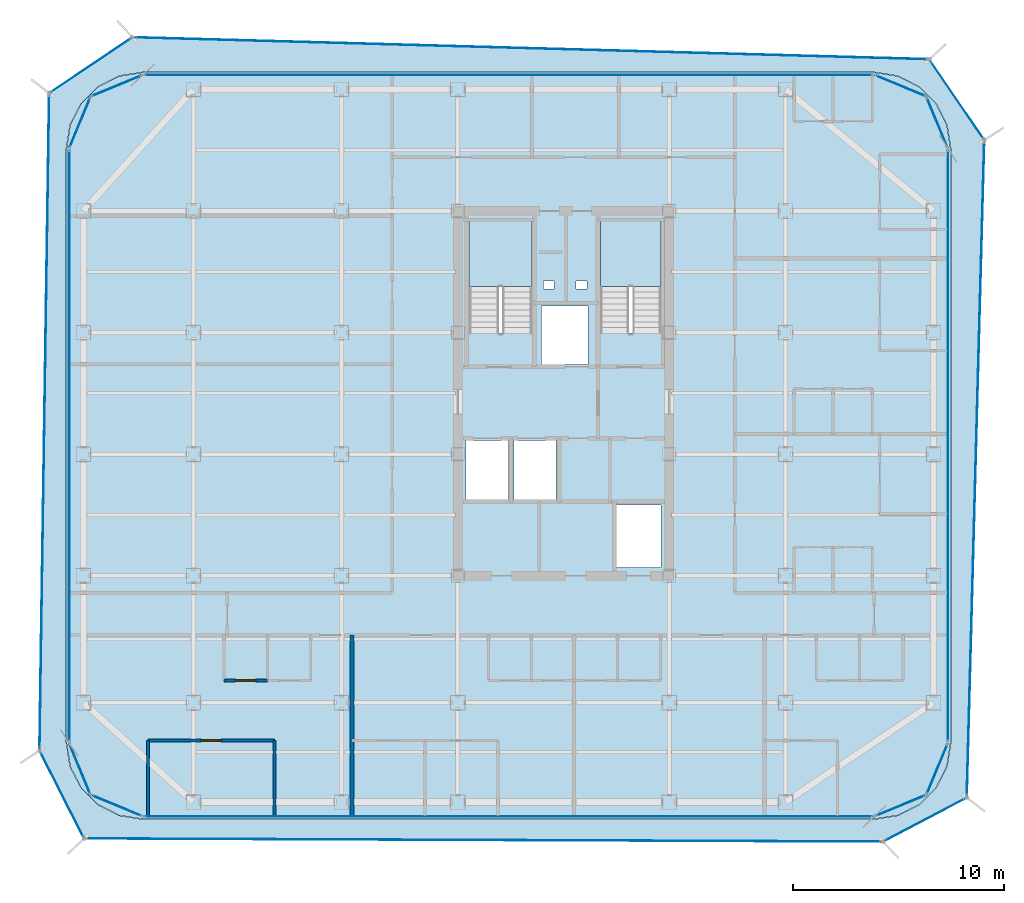
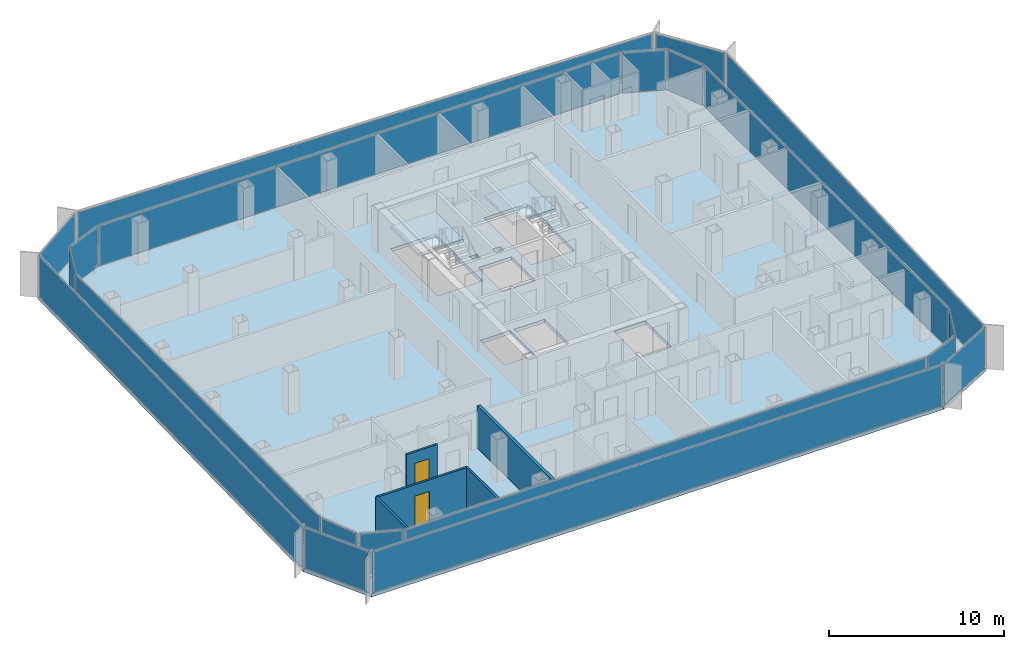
# One storey, part 9 of 16: 20 plates, 5 walls, 4 slabs, 2 doors, 2 openings, 22 elements without a shape of their own.
"""IFC4 building model written with IfcOpenShell, lengths in metres."""

from ifc_helpers import new_model, si_unit, direction, frame, frame_2d, origin, origin_2d, place, context, subcontext, project, spatial, polyline, rectangle, outline, extrude, source, transform, mapped, material, layer, layer_set, type_object, element, fill, aggregate, save


model = new_model("IFC4")

# Units and contexts
model_context = context("Model", 3, precision=1e-05, world=origin(), true_north=direction((0.0, 1.0)))
body_context = subcontext(model_context, "Body", "Model", "MODEL_VIEW")
ifc_project = project(units=[si_unit("LENGTHUNIT", "METRE"), si_unit("AREAUNIT", "SQUARE_METRE"), si_unit("VOLUMEUNIT", "CUBIC_METRE"), si_unit("PLANEANGLEUNIT", "RADIAN"), si_unit("MASSUNIT", "GRAM", prefix="KILO")], contexts=[model_context])

# Site, building, storey
site_placement = place(None, origin())
site = spatial("IfcSite", under=ifc_project, at=site_placement, CompositionType="ELEMENT")
building_placement = place(site_placement, origin())
building = spatial("IfcBuilding", under=site, at=building_placement, Name="Kolveth Station Tower", CompositionType="ELEMENT")
storey_placement = place(building_placement, frame((0.0, 0.0, 175.300048828125)))
storey = spatial("IfcBuildingStorey", under=building, at=storey_placement, Name="L49", CompositionType="ELEMENT", Elevation=175.300048828125)

# Slab
ifc_material_1 = material(Name="Concrete C40/50", Category="concrete")
ifc_layer_1 = layer(ifc_material_1, 0.25)
ifc_layer_set_1 = layer_set([ifc_layer_1], Name="Concrete C40/50")
slab_type_1 = type_object("IfcSlabType", Name="Slab_SF-250", PredefinedType="FLOOR", material=ifc_layer_set_1)
slab_1_placement = place(storey_placement, frame((0.0, 0.0, -0.25)))
element("IfcSlab", 1, at=slab_1_placement, inside=storey, type_object=slab_type_1, Name="L49 Tower Structural Floor Slab", PredefinedType="FLOOR", context=body_context, shape_type="SweptSolid", body=[
    extrude(outline(polyline([(38.199951171875, 0.0), (39.3125, 0.17626953125), (40.31591796875, 0.6875), (41.112548828125, 1.48388671875), (41.623779296875, 2.487548828125), (41.800048828125, 3.60009765625), (41.800048828125, 31.699951171875), (41.623779296875, 32.8125), (41.112548828125, 33.81591796875), (40.31591796875, 34.612548828125), (39.3125, 35.123779296875), (38.199951171875, 35.300048828125), (3.60009765625, 35.300048828125), (2.487548828125, 35.123779296875), (1.48388671875, 34.612548828125), (0.6875, 33.81591796875), (0.17626953125, 32.8125), (0.0, 31.699951171875), (0.0, 3.60009765625), (0.17626953125, 2.487548828125), (0.6875, 1.48388671875), (1.48388671875, 0.6875), (2.487548828125, 0.17626953125), (3.60009765625, 0.0), (38.199951171875, 0.0)]), holes=[polyline([(19.0400390625, 22.985107421875), (22.0, 22.985107421875), (22.0, 28.39990234375), (19.0400390625, 28.39990234375), (19.0400390625, 22.985107421875)]), polyline([(25.239990234375, 22.985107421875), (28.10009765625, 22.985107421875), (28.10009765625, 28.39990234375), (25.239990234375, 28.39990234375), (25.239990234375, 22.985107421875)]), polyline([(18.89990234375, 15.10009765625), (20.89990234375, 15.10009765625), (20.89990234375, 17.89990234375), (18.89990234375, 17.89990234375), (18.89990234375, 15.10009765625)]), polyline([(21.14990234375, 15.10009765625), (23.14990234375, 15.10009765625), (23.14990234375, 17.89990234375), (21.14990234375, 17.89990234375), (21.14990234375, 15.10009765625)]), polyline([(22.449951171875, 21.5), (24.64990234375, 21.5), (24.64990234375, 24.25), (22.449951171875, 24.25), (22.449951171875, 21.5)]), polyline([(26.0, 11.89990234375), (28.10009765625, 11.89990234375), (28.10009765625, 14.85009765625), (26.0, 14.85009765625), (26.0, 11.89990234375)]), polyline([(22.550048828125, 25.050048828125), (23.050048828125, 25.050048828125), (23.050048828125, 25.449951171875), (22.550048828125, 25.449951171875), (22.550048828125, 25.050048828125)]), polyline([(24.10009765625, 25.050048828125), (24.60009765625, 25.050048828125), (24.60009765625, 25.449951171875), (24.10009765625, 25.449951171875), (24.10009765625, 25.050048828125)])]), origin(), (0.0, 0.0, 1.0), 0.25),
])

# Stair, slab
stair_type_1 = type_object("IfcStairType", Name="Stair_ST2", PredefinedType="HALF_TURN_STAIR", material=ifc_material_1)
stair_1_placement = place(storey_placement, origin())
stair_1 = element("IfcStair", 2, at=stair_1_placement, inside=storey, type_object=stair_type_1, Name="L49 Tower Exit Stair ST2", PredefinedType="HALF_TURN_STAIR")
ifc_layer_2 = layer(ifc_material_1, 0.18994140625)
ifc_layer_set_2 = layer_set([ifc_layer_2], Name="Concrete C40/50")
slab_type_2 = type_object("IfcSlabType", Name="Slab_SL-190", PredefinedType="LANDING", material=ifc_layer_set_2)
slab_2_placement = place(storey_placement, frame((0.0, 0.0, 1.39990234375)))
slab_2 = element("IfcSlab", 3, at=slab_2_placement, type_object=slab_type_2, Name="ST2 landing 1", PredefinedType="LANDING", context=body_context, shape_type="SweptSolid", body=[
    extrude(outline(polyline([(28.10009765625, 25.18994140625), (28.10009765625, 28.39990234375), (25.239990234375, 28.39990234375), (25.239990234375, 25.18994140625), (28.10009765625, 25.18994140625)])), origin(), (0.0, 0.0, 1.0), 0.199951171875),
])
aggregate(stair_1, [slab_2])

stair_type_2 = type_object("IfcStairType", Name="Stair_ST1", PredefinedType="HALF_TURN_STAIR", material=ifc_material_1)
stair_2_placement = place(storey_placement, origin())
stair_2 = element("IfcStair", 4, at=stair_2_placement, inside=storey, type_object=stair_type_2, Name="L49 Tower Exit Stair ST1", PredefinedType="HALF_TURN_STAIR")
ifc_layer_3 = layer(ifc_material_1, 0.205078125)
ifc_layer_set_3 = layer_set([ifc_layer_3], Name="Concrete C40/50")
slab_type_3 = type_object("IfcSlabType", Name="Slab_SL-205", PredefinedType="LANDING", material=ifc_layer_set_3)
slab_3_placement = place(storey_placement, frame((0.0, 0.0, 1.39990234375)))
slab_3 = element("IfcSlab", 5, at=slab_3_placement, type_object=slab_type_3, Name="ST1 landing 1", PredefinedType="LANDING", context=body_context, shape_type="SweptSolid", body=[
    extrude(outline(polyline([(22.0, 25.18994140625), (22.0, 28.39990234375), (19.0400390625, 28.39990234375), (19.0400390625, 25.18994140625), (22.0, 25.18994140625)])), origin(), (0.0, 0.0, 1.0), 0.199951171875),
])
aggregate(stair_2, [slab_3])

# Slab
ifc_layer_4 = layer(ifc_material_1, 0.2099609375)
ifc_layer_set_4 = layer_set([ifc_layer_4], Name="Concrete C40/50")
slab_type_4 = type_object("IfcSlabType", Name="Slab_ST-210", PredefinedType="FLOOR", material=ifc_layer_set_4)
slab_4_placement = place(storey_placement, frame((0.0, 0.0, -0.2099609375)))
element("IfcSlab", 6, at=slab_4_placement, inside=storey, type_object=slab_type_4, Name="L49 Double-Skin Cavity Structural Ledger Ring", PredefinedType="FLOOR", context=body_context, shape_type="SweptSolid", body=[
    extrude(outline(polyline([(0.834228515625, -0.92431640625), (-1.27587890625, 3.236572265625), (-0.819091796875, 34.319091796875), (3.120361328125, 36.95947265625), (40.792724609375, 35.921142578125), (43.399658203125, 32.10400390625), (42.57177734375, 1.008056640625), (38.607666015625, -1.074951171875), (0.834228515625, -0.92431640625)]), holes=[polyline([(38.202392578125, -0.014892578125), (39.314697265625, 0.161376953125), (39.3193359375, 0.162841796875), (40.32275390625, 0.674072265625), (40.32666015625, 0.677001953125), (41.123046875, 1.473388671875), (41.1259765625, 1.477294921875), (41.63720703125, 2.480712890625), (41.638671875, 2.485107421875), (41.814697265625, 3.59765625), (41.81494140625, 3.60009765625), (41.81494140625, 31.699951171875), (41.814697265625, 31.702392578125), (41.638671875, 32.814697265625), (41.63720703125, 32.8193359375), (41.1259765625, 33.82275390625), (41.123046875, 33.82666015625), (40.32666015625, 34.623046875), (40.32275390625, 34.6259765625), (39.3193359375, 35.13720703125), (39.314697265625, 35.138671875), (38.202392578125, 35.314697265625), (38.199951171875, 35.31494140625), (3.60009765625, 35.31494140625), (3.59765625, 35.314697265625), (2.485107421875, 35.138671875), (2.480712890625, 35.13720703125), (1.477294921875, 34.6259765625), (1.473388671875, 34.623046875), (0.677001953125, 33.82666015625), (0.674072265625, 33.82275390625), (0.162841796875, 32.8193359375), (0.161376953125, 32.814697265625), (-0.014892578125, 31.702392578125), (-0.014892578125, 31.699951171875), (-0.014892578125, 3.60009765625), (-0.014892578125, 3.59765625), (0.161376953125, 2.485107421875), (0.162841796875, 2.480712890625), (0.674072265625, 1.477294921875), (0.677001953125, 1.473388671875), (1.473388671875, 0.677001953125), (1.477294921875, 0.674072265625), (2.480712890625, 0.162841796875), (2.485107421875, 0.161376953125), (3.59765625, -0.014892578125), (3.60009765625, -0.014892578125), (38.199951171875, -0.014892578125), (38.202392578125, -0.014892578125)])]), origin(), (0.0, 0.0, 1.0), 0.2099609375),
])

# Curtain wall, plate
ifc_material_2 = material(Name="Aluminium 6063-T6 and low-E dark glass", Category="aluminium")
ifc_layer_5 = layer(ifc_material_2, 0.18994140625)
ifc_layer_set_5 = layer_set([ifc_layer_5], Name="Aluminium 6063-T6 and low-E dark glass")
curtain_wall_type_1 = type_object("IfcCurtainWallType", Name="CurtainWall_CW-Z2", PredefinedType="NOTDEFINED", material=ifc_layer_set_5)
curtain_wall_1_placement = place(storey_placement, origin())
curtain_wall_1 = element("IfcCurtainWall", 7, at=curtain_wall_1_placement, inside=storey, type_object=curtain_wall_type_1, Name="L49 Inner Thermal Curtain Wall 1", PredefinedType="NOTDEFINED")
ifc_material_3 = material(Name="Architectural low-E dark glass", Category="glass")
ifc_layer_6 = layer(ifc_material_3, 0.0380859375)
ifc_layer_set_6 = layer_set([ifc_layer_6], Name="Architectural low-E dark glass")
plate_type_1 = type_object("IfcPlateType", Name="Panel_GL2", PredefinedType="CURTAIN_PANEL", material=ifc_layer_set_6)
shared_shape_1 = source(origin(), body_context, "Body", "SweptSolid", [
    extrude(rectangle(XDim=2.517578125, YDim=0.0380859375, at=origin_2d()), origin(), (0.0, 0.0, 1.0), 2.803955078125),
])
plate_1_placement = place(storey_placement, frame((39.430419921875, 0.629638671875, 0.07275390625), z_axis=(0.0, 0.0, 1.0), x_axis=(0.923873600544, 0.382697753087, 0.0)))
plate_1 = element("IfcPlate", 8, at=plate_1_placement, type_object=plate_type_1, Name="CW-Z2 panel 1.1", PredefinedType="CURTAIN_PANEL", context=body_context, shape_type="MappedRepresentation", body=[
    mapped(shared_shape_1, transform((0.0, 0.0, 0.0), x_axis=(1.0, 0.0, 0.0), y_axis=(0.0, 1.0, 0.0), z_axis=(0.0, 0.0, 1.0), scale=1.0)),
])
aggregate(curtain_wall_1, [plate_1])

curtain_wall_2_placement = place(storey_placement, origin())
curtain_wall_2 = element("IfcCurtainWall", 9, at=curtain_wall_2_placement, inside=storey, type_object=curtain_wall_type_1, Name="L49 Inner Thermal Curtain Wall 2", PredefinedType="NOTDEFINED")
plate_2_placement = place(storey_placement, frame((41.17041015625, 2.36962890625, 0.07275390625), z_axis=(0.0, 0.0, 1.0), x_axis=(0.382697753087, 0.923873600544, 0.0)))
plate_2 = element("IfcPlate", 10, at=plate_2_placement, type_object=plate_type_1, Name="CW-Z2 panel 1.1", PredefinedType="CURTAIN_PANEL", context=body_context, shape_type="MappedRepresentation", body=[
    mapped(shared_shape_1, transform((0.0, 0.0, 0.0), x_axis=(1.0, 0.0, 0.0), y_axis=(0.0, 1.0, 0.0), z_axis=(0.0, 0.0, 1.0), scale=1.0)),
])
aggregate(curtain_wall_2, [plate_2])

curtain_wall_3_placement = place(storey_placement, origin())
curtain_wall_3 = element("IfcCurtainWall", 11, at=curtain_wall_3_placement, inside=storey, type_object=curtain_wall_type_1, Name="L49 Inner Thermal Curtain Wall 4", PredefinedType="NOTDEFINED")
plate_3_placement = place(storey_placement, frame((41.17041015625, 32.930419921875, 0.07275390625), z_axis=(0.0, 0.0, 1.0), x_axis=(-0.382697753087, 0.923873600544, 0.0)))
plate_3 = element("IfcPlate", 12, at=plate_3_placement, type_object=plate_type_1, Name="CW-Z2 panel 1.1", PredefinedType="CURTAIN_PANEL", context=body_context, shape_type="MappedRepresentation", body=[
    mapped(shared_shape_1, transform((0.0, 0.0, 0.0), x_axis=(1.0, 0.0, 0.0), y_axis=(0.0, 1.0, 0.0), z_axis=(0.0, 0.0, 1.0), scale=1.0)),
])
aggregate(curtain_wall_3, [plate_3])

curtain_wall_4_placement = place(storey_placement, origin())
curtain_wall_4 = element("IfcCurtainWall", 13, at=curtain_wall_4_placement, inside=storey, type_object=curtain_wall_type_1, Name="L49 Inner Thermal Curtain Wall 5", PredefinedType="NOTDEFINED")
plate_4_placement = place(storey_placement, frame((39.430419921875, 34.67041015625, 0.07275390625), z_axis=(0.0, 0.0, 1.0), x_axis=(-0.923873600544, 0.382697753087, 0.0)))
plate_4 = element("IfcPlate", 14, at=plate_4_placement, type_object=plate_type_1, Name="CW-Z2 panel 1.1", PredefinedType="CURTAIN_PANEL", context=body_context, shape_type="MappedRepresentation", body=[
    mapped(shared_shape_1, transform((0.0, 0.0, 0.0), x_axis=(1.0, 0.0, 0.0), y_axis=(0.0, 1.0, 0.0), z_axis=(0.0, 0.0, 1.0), scale=1.0)),
])
aggregate(curtain_wall_4, [plate_4])

curtain_wall_5_placement = place(storey_placement, origin())
curtain_wall_5 = element("IfcCurtainWall", 15, at=curtain_wall_5_placement, inside=storey, type_object=curtain_wall_type_1, Name="L49 Inner Thermal Curtain Wall 7", PredefinedType="NOTDEFINED")
plate_5_placement = place(storey_placement, frame((2.36962890625, 34.67041015625, 0.07275390625), z_axis=(0.0, 0.0, 1.0), x_axis=(-0.923873600544, -0.382697753087, 0.0)))
plate_5 = element("IfcPlate", 16, at=plate_5_placement, type_object=plate_type_1, Name="CW-Z2 panel 1.1", PredefinedType="CURTAIN_PANEL", context=body_context, shape_type="MappedRepresentation", body=[
    mapped(shared_shape_1, transform((0.0, 0.0, 0.0), x_axis=(1.0, 0.0, 0.0), y_axis=(0.0, 1.0, 0.0), z_axis=(0.0, 0.0, 1.0), scale=1.0)),
])
aggregate(curtain_wall_5, [plate_5])

curtain_wall_6_placement = place(storey_placement, origin())
curtain_wall_6 = element("IfcCurtainWall", 17, at=curtain_wall_6_placement, inside=storey, type_object=curtain_wall_type_1, Name="L49 Inner Thermal Curtain Wall 8", PredefinedType="NOTDEFINED")
plate_6_placement = place(storey_placement, frame((0.629638671875, 32.930419921875, 0.07275390625), z_axis=(0.0, 0.0, 1.0), x_axis=(-0.382697753087, -0.923873600544, 0.0)))
plate_6 = element("IfcPlate", 18, at=plate_6_placement, type_object=plate_type_1, Name="CW-Z2 panel 1.1", PredefinedType="CURTAIN_PANEL", context=body_context, shape_type="MappedRepresentation", body=[
    mapped(shared_shape_1, transform((0.0, 0.0, 0.0), x_axis=(1.0, 0.0, 0.0), y_axis=(0.0, 1.0, 0.0), z_axis=(0.0, 0.0, 1.0), scale=1.0)),
])
aggregate(curtain_wall_6, [plate_6])

curtain_wall_7_placement = place(storey_placement, origin())
curtain_wall_7 = element("IfcCurtainWall", 19, at=curtain_wall_7_placement, inside=storey, type_object=curtain_wall_type_1, Name="L49 Inner Thermal Curtain Wall 10", PredefinedType="NOTDEFINED")
plate_7_placement = place(storey_placement, frame((0.629638671875, 2.36962890625, 0.07275390625), z_axis=(0.0, 0.0, 1.0), x_axis=(0.382697753087, -0.923873600544, 0.0)))
plate_7 = element("IfcPlate", 20, at=plate_7_placement, type_object=plate_type_1, Name="CW-Z2 panel 1.1", PredefinedType="CURTAIN_PANEL", context=body_context, shape_type="MappedRepresentation", body=[
    mapped(shared_shape_1, transform((0.0, 0.0, 0.0), x_axis=(1.0, 0.0, 0.0), y_axis=(0.0, 1.0, 0.0), z_axis=(0.0, 0.0, 1.0), scale=1.0)),
])
aggregate(curtain_wall_7, [plate_7])

curtain_wall_8_placement = place(storey_placement, origin())
curtain_wall_8 = element("IfcCurtainWall", 21, at=curtain_wall_8_placement, inside=storey, type_object=curtain_wall_type_1, Name="L49 Inner Thermal Curtain Wall 11", PredefinedType="NOTDEFINED")
plate_8_placement = place(storey_placement, frame((2.36962890625, 0.629638671875, 0.07275390625), z_axis=(0.0, 0.0, 1.0), x_axis=(0.923873600544, -0.382697753087, 0.0)))
plate_8 = element("IfcPlate", 22, at=plate_8_placement, type_object=plate_type_1, Name="CW-Z2 panel 1.1", PredefinedType="CURTAIN_PANEL", context=body_context, shape_type="MappedRepresentation", body=[
    mapped(shared_shape_1, transform((0.0, 0.0, 0.0), x_axis=(1.0, 0.0, 0.0), y_axis=(0.0, 1.0, 0.0), z_axis=(0.0, 0.0, 1.0), scale=1.0)),
])
aggregate(curtain_wall_8, [plate_8])

curtain_wall_9_placement = place(storey_placement, origin())
curtain_wall_9 = element("IfcCurtainWall", 23, at=curtain_wall_9_placement, inside=storey, type_object=curtain_wall_type_1, Name="L49 Inner Thermal Curtain Wall 3", PredefinedType="NOTDEFINED")
shared_shape_2 = source(origin(), body_context, "Body", "SweptSolid", [
    extrude(rectangle(XDim=27.9541015625, YDim=0.0380859375, at=origin_2d()), origin(), (0.0, 0.0, 1.0), 2.803955078125),
])
plate_9_placement = place(storey_placement, frame((41.679931640625, 17.64990234375, 0.07275390625), z_axis=(0.0, 0.0, 1.0), x_axis=(0.0, 1.0, 0.0)))
plate_9 = element("IfcPlate", 24, at=plate_9_placement, type_object=plate_type_1, Name="CW-Z2 panel 1.1", PredefinedType="CURTAIN_PANEL", context=body_context, shape_type="MappedRepresentation", body=[
    mapped(shared_shape_2, transform((0.0, 0.0, 0.0), x_axis=(1.0, 0.0, 0.0), y_axis=(0.0, 1.0, 0.0), z_axis=(0.0, 0.0, 1.0), scale=1.0)),
])
aggregate(curtain_wall_9, [plate_9])

curtain_wall_10_placement = place(storey_placement, origin())
curtain_wall_10 = element("IfcCurtainWall", 25, at=curtain_wall_10_placement, inside=storey, type_object=curtain_wall_type_1, Name="L49 Inner Thermal Curtain Wall 9", PredefinedType="NOTDEFINED")
plate_10_placement = place(storey_placement, frame((0.1201171875, 17.64990234375, 0.07275390625), z_axis=(0.0, 0.0, 1.0), x_axis=(0.0, -1.0, 0.0)))
plate_10 = element("IfcPlate", 26, at=plate_10_placement, type_object=plate_type_1, Name="CW-Z2 panel 1.1", PredefinedType="CURTAIN_PANEL", context=body_context, shape_type="MappedRepresentation", body=[
    mapped(shared_shape_2, transform((0.0, 0.0, 0.0), x_axis=(1.0, 0.0, 0.0), y_axis=(0.0, 1.0, 0.0), z_axis=(0.0, 0.0, 1.0), scale=1.0)),
])
aggregate(curtain_wall_10, [plate_10])

curtain_wall_11_placement = place(storey_placement, origin())
curtain_wall_11 = element("IfcCurtainWall", 27, at=curtain_wall_11_placement, inside=storey, type_object=curtain_wall_type_1, Name="L49 Inner Thermal Curtain Wall 6", PredefinedType="NOTDEFINED")
shared_shape_3 = source(origin(), body_context, "Body", "SweptSolid", [
    extrude(rectangle(XDim=34.4541015625, YDim=0.0380859375, at=origin_2d()), origin(), (0.0, 0.0, 1.0), 2.803955078125),
])
plate_11_placement = place(storey_placement, frame((20.89990234375, 35.179931640625, 0.07275390625), z_axis=(0.0, 0.0, 1.0), x_axis=(-1.0, 0.0, 0.0)))
plate_11 = element("IfcPlate", 28, at=plate_11_placement, type_object=plate_type_1, Name="CW-Z2 panel 1.1", PredefinedType="CURTAIN_PANEL", context=body_context, shape_type="MappedRepresentation", body=[
    mapped(shared_shape_3, transform((0.0, 0.0, 0.0), x_axis=(1.0, 0.0, 0.0), y_axis=(0.0, 1.0, 0.0), z_axis=(0.0, 0.0, 1.0), scale=1.0)),
])
aggregate(curtain_wall_11, [plate_11])

curtain_wall_12_placement = place(storey_placement, origin())
curtain_wall_12 = element("IfcCurtainWall", 29, at=curtain_wall_12_placement, inside=storey, type_object=curtain_wall_type_1, Name="L49 Inner Thermal Curtain Wall 12", PredefinedType="NOTDEFINED")
plate_12_placement = place(storey_placement, frame((20.89990234375, 0.1201171875, 0.07275390625), z_axis=(0.0, 0.0, 1.0), x_axis=(1.0, 0.0, 0.0)))
plate_12 = element("IfcPlate", 30, at=plate_12_placement, type_object=plate_type_1, Name="CW-Z2 panel 1.1", PredefinedType="CURTAIN_PANEL", context=body_context, shape_type="MappedRepresentation", body=[
    mapped(shared_shape_3, transform((0.0, 0.0, 0.0), x_axis=(1.0, 0.0, 0.0), y_axis=(0.0, 1.0, 0.0), z_axis=(0.0, 0.0, 1.0), scale=1.0)),
])
aggregate(curtain_wall_12, [plate_12])

ifc_material_4 = material(Name="Black anodized aluminium 6063-T6 and dark solar glass", Category="aluminium")
ifc_layer_7 = layer(ifc_material_4, 0.159912109375)
ifc_layer_set_7 = layer_set([ifc_layer_7], Name="Black anodized aluminium 6063-T6 and dark solar glass")
curtain_wall_type_2 = type_object("IfcCurtainWallType", Name="OUTER SKIN CW-OS", PredefinedType="NOTDEFINED", material=ifc_layer_set_7)
curtain_wall_13_placement = place(storey_placement, origin())
curtain_wall_13 = element("IfcCurtainWall", 31, at=curtain_wall_13_placement, inside=storey, type_object=curtain_wall_type_2, Name="L49 Outer Ventilated Skin Curtain Wall 1", PredefinedType="NOTDEFINED")
ifc_layer_8 = layer(ifc_material_3, 0.028076171875)
ifc_layer_set_8 = layer_set([ifc_layer_8], Name="Architectural low-E dark glass")
plate_type_2 = type_object("IfcPlateType", Name="Panel_GL-OS", PredefinedType="CURTAIN_PANEL", material=ifc_layer_set_8)
shared_shape_4 = source(origin(), body_context, "Body", "SweptSolid", [
    extrude(rectangle(XDim=4.31201171875, YDim=0.028076171875, at=origin_2d()), origin(), (0.0, 0.0, 1.0), 2.843994140625),
])
plate_13_placement = place(storey_placement, frame((40.589599609375, -0.033447265625, 0.07275390625), z_axis=(0.0, 0.0, 1.0), x_axis=(0.885232409841, 0.465148987494, 0.0)))
plate_13 = element("IfcPlate", 32, at=plate_13_placement, type_object=plate_type_2, Name="CW-OS panel 1.1", PredefinedType="CURTAIN_PANEL", context=body_context, shape_type="MappedRepresentation", body=[
    mapped(shared_shape_4, transform((0.0, 0.0, 0.0), x_axis=(1.0, 0.0, 0.0), y_axis=(0.0, 1.0, 0.0), z_axis=(0.0, 0.0, 1.0), scale=1.0)),
])
aggregate(curtain_wall_13, [plate_13])

curtain_wall_14_placement = place(storey_placement, origin())
curtain_wall_14 = element("IfcCurtainWall", 33, at=curtain_wall_14_placement, inside=storey, type_object=curtain_wall_type_2, Name="L49 Outer Ventilated Skin Curtain Wall 2", PredefinedType="NOTDEFINED")
shared_shape_5 = source(origin(), body_context, "Body", "SweptSolid", [
    extrude(rectangle(XDim=30.94091796875, YDim=0.028076171875, at=origin_2d()), origin(), (0.0, 0.0, 1.0), 2.843994140625),
])
plate_14_placement = place(storey_placement, frame((42.985595703125, 16.555908203125, 0.07275390625), z_axis=(0.0, 0.0, 1.0), x_axis=(0.026617784478, 0.999645684005, 0.0)))
plate_14 = element("IfcPlate", 34, at=plate_14_placement, type_object=plate_type_2, Name="CW-OS panel 1.1", PredefinedType="CURTAIN_PANEL", context=body_context, shape_type="MappedRepresentation", body=[
    mapped(shared_shape_5, transform((0.0, 0.0, 0.0), x_axis=(1.0, 0.0, 0.0), y_axis=(0.0, 1.0, 0.0), z_axis=(0.0, 0.0, 1.0), scale=1.0)),
])
aggregate(curtain_wall_14, [plate_14])

curtain_wall_15_placement = place(storey_placement, origin())
curtain_wall_15 = element("IfcCurtainWall", 35, at=curtain_wall_15_placement, inside=storey, type_object=curtain_wall_type_2, Name="L49 Outer Ventilated Skin Curtain Wall 3", PredefinedType="NOTDEFINED")
shared_shape_6 = source(origin(), body_context, "Body", "SweptSolid", [
    extrude(rectangle(XDim=4.456298828125, YDim=0.028076171875, at=origin_2d()), origin(), (0.0, 0.0, 1.0), 2.843994140625),
])
plate_15_placement = place(storey_placement, frame((42.09619140625, 34.0126953125, 0.07275390625), z_axis=(0.0, 0.0, 1.0), x_axis=(-0.563966323921, 0.825797787284, 0.0)))
plate_15 = element("IfcPlate", 36, at=plate_15_placement, type_object=plate_type_2, Name="CW-OS panel 1.1", PredefinedType="CURTAIN_PANEL", context=body_context, shape_type="MappedRepresentation", body=[
    mapped(shared_shape_6, transform((0.0, 0.0, 0.0), x_axis=(1.0, 0.0, 0.0), y_axis=(0.0, 1.0, 0.0), z_axis=(0.0, 0.0, 1.0), scale=1.0)),
])
aggregate(curtain_wall_15, [plate_15])

curtain_wall_16_placement = place(storey_placement, origin())
curtain_wall_16 = element("IfcCurtainWall", 37, at=curtain_wall_16_placement, inside=storey, type_object=curtain_wall_type_2, Name="L49 Outer Ventilated Skin Curtain Wall 4", PredefinedType="NOTDEFINED")
shared_shape_7 = source(origin(), body_context, "Body", "SweptSolid", [
    extrude(rectangle(XDim=37.520751953125, YDim=0.028076171875, at=origin_2d()), origin(), (0.0, 0.0, 1.0), 2.843994140625),
])
plate_16_placement = place(storey_placement, frame((21.95654296875, 36.4404296875, 0.07275390625), z_axis=(0.0, 0.0, 1.0), x_axis=(-0.999620405867, 0.027550756321, 0.0)))
plate_16 = element("IfcPlate", 38, at=plate_16_placement, type_object=plate_type_2, Name="CW-OS panel 1.1", PredefinedType="CURTAIN_PANEL", context=body_context, shape_type="MappedRepresentation", body=[
    mapped(shared_shape_7, transform((0.0, 0.0, 0.0), x_axis=(1.0, 0.0, 0.0), y_axis=(0.0, 1.0, 0.0), z_axis=(0.0, 0.0, 1.0), scale=1.0)),
])
aggregate(curtain_wall_16, [plate_16])

curtain_wall_17_placement = place(storey_placement, origin())
curtain_wall_17 = element("IfcCurtainWall", 39, at=curtain_wall_17_placement, inside=storey, type_object=curtain_wall_type_2, Name="L49 Outer Ventilated Skin Curtain Wall 5", PredefinedType="NOTDEFINED")
shared_shape_8 = source(origin(), body_context, "Body", "SweptSolid", [
    extrude(rectangle(XDim=4.576416015625, YDim=0.028076171875, at=origin_2d()), origin(), (0.0, 0.0, 1.0), 2.843994140625),
])
plate_17_placement = place(storey_placement, frame((1.150634765625, 35.639404296875, 0.07275390625), z_axis=(0.0, 0.0, 1.0), x_axis=(-0.830675478901, -0.556756902743, 0.0)))
plate_17 = element("IfcPlate", 40, at=plate_17_placement, type_object=plate_type_2, Name="CW-OS panel 1.1", PredefinedType="CURTAIN_PANEL", context=body_context, shape_type="MappedRepresentation", body=[
    mapped(shared_shape_8, transform((0.0, 0.0, 0.0), x_axis=(1.0, 0.0, 0.0), y_axis=(0.0, 1.0, 0.0), z_axis=(0.0, 0.0, 1.0), scale=1.0)),
])
aggregate(curtain_wall_17, [plate_17])

curtain_wall_18_placement = place(storey_placement, origin())
curtain_wall_18 = element("IfcCurtainWall", 41, at=curtain_wall_18_placement, inside=storey, type_object=curtain_wall_type_2, Name="L49 Outer Ventilated Skin Curtain Wall 6", PredefinedType="NOTDEFINED")
shared_shape_9 = source(origin(), body_context, "Body", "SweptSolid", [
    extrude(rectangle(XDim=30.920166015625, YDim=0.028076171875, at=origin_2d()), origin(), (0.0, 0.0, 1.0), 2.843994140625),
])
plate_18_placement = place(storey_placement, frame((-1.04736328125, 18.77783203125, 0.07275390625), z_axis=(0.0, 0.0, 1.0), x_axis=(-0.014694691188, -0.999892027196, 0.0)))
plate_18 = element("IfcPlate", 42, at=plate_18_placement, type_object=plate_type_2, Name="CW-OS panel 1.1", PredefinedType="CURTAIN_PANEL", context=body_context, shape_type="MappedRepresentation", body=[
    mapped(shared_shape_9, transform((0.0, 0.0, 0.0), x_axis=(1.0, 0.0, 0.0), y_axis=(0.0, 1.0, 0.0), z_axis=(0.0, 0.0, 1.0), scale=1.0)),
])
aggregate(curtain_wall_18, [plate_18])

curtain_wall_19_placement = place(storey_placement, origin())
curtain_wall_19 = element("IfcCurtainWall", 43, at=curtain_wall_19_placement, inside=storey, type_object=curtain_wall_type_2, Name="L49 Outer Ventilated Skin Curtain Wall 7", PredefinedType="NOTDEFINED")
shared_shape_10 = source(origin(), body_context, "Body", "SweptSolid", [
    extrude(rectangle(XDim=4.499267578125, YDim=0.028076171875, at=origin_2d()), origin(), (0.0, 0.0, 1.0), 2.843994140625),
])
plate_19_placement = place(storey_placement, frame((-0.220703125, 1.156005859375, 0.07275390625), z_axis=(0.0, 0.0, 1.0), x_axis=(0.452282244131, -0.89187486322, 0.0)))
plate_19 = element("IfcPlate", 44, at=plate_19_placement, type_object=plate_type_2, Name="CW-OS panel 1.1", PredefinedType="CURTAIN_PANEL", context=body_context, shape_type="MappedRepresentation", body=[
    mapped(shared_shape_10, transform((0.0, 0.0, 0.0), x_axis=(1.0, 0.0, 0.0), y_axis=(0.0, 1.0, 0.0), z_axis=(0.0, 0.0, 1.0), scale=1.0)),
])
aggregate(curtain_wall_19, [plate_19])

curtain_wall_20_placement = place(storey_placement, origin())
curtain_wall_20 = element("IfcCurtainWall", 45, at=curtain_wall_20_placement, inside=storey, type_object=curtain_wall_type_2, Name="L49 Outer Ventilated Skin Curtain Wall 8", PredefinedType="NOTDEFINED")
shared_shape_11 = source(origin(), body_context, "Body", "SweptSolid", [
    extrude(rectangle(XDim=37.60791015625, YDim=0.028076171875, at=origin_2d()), origin(), (0.0, 0.0, 1.0), 2.843994140625),
])
plate_20_placement = place(storey_placement, frame((19.720947265625, -0.99951171875, 0.07275390625), z_axis=(0.0, 0.0, 1.0), x_axis=(0.999992052321, -0.003986890357, 0.0)))
plate_20 = element("IfcPlate", 46, at=plate_20_placement, type_object=plate_type_2, Name="CW-OS panel 1.1", PredefinedType="CURTAIN_PANEL", context=body_context, shape_type="MappedRepresentation", body=[
    mapped(shared_shape_11, transform((0.0, 0.0, 0.0), x_axis=(1.0, 0.0, 0.0), y_axis=(0.0, 1.0, 0.0), z_axis=(0.0, 0.0, 1.0), scale=1.0)),
])
aggregate(curtain_wall_20, [plate_20])

# Wall, opening, door
ifc_material_5 = material(Name="Moisture-resistant gypsum partition")
ifc_layer_9 = layer(ifc_material_5, 0.135009765625)
ifc_layer_set_9 = layer_set([ifc_layer_9], Name="Moisture-resistant gypsum partition")
wall_type_1 = type_object("IfcWallType", Name="Wall_IW-135", PredefinedType="PARTITIONING", material=ifc_layer_set_9)
wall_1_placement = place(storey_placement, frame((7.449951171875, 6.550048828125, 0.0), z_axis=(0.0, 0.0, 1.0), x_axis=(1.0, 0.0, 0.0)))
wall_1 = element("IfcWall", 47, at=wall_1_placement, inside=storey, type_object=wall_type_1, Name="L49 Partition Wall WL-L49-A1-IBHK", PredefinedType="PARTITIONING", context=body_context, shape_type="SweptSolid", body=[
    extrude(rectangle(XDim=2.050048828125, YDim=0.135009765625, at=frame_2d((1.02490234375, 0.0))), origin(), (0.0, 0.0, 1.0), 2.949951171875),
])
opening_1_placement = place(wall_1_placement, frame((0.544921875, 0.0, 0.0)))
opening_1 = element("IfcOpeningElement", 48, at=opening_1_placement, cuts=wall_1, Name="Opening ID1", PredefinedType="OPENING", context=body_context, shape_type="SweptSolid", body=[
    extrude(rectangle(XDim=0.949951171875, YDim=2.14990234375, at=frame_2d((0.47509765625, 1.074951171875))), frame((0.0, 0.077392578125, 0.0), z_axis=(0.0, -1.0, 0.0), x_axis=(1.0, 0.0, 0.0)), (0.0, 0.0, 1.0), 0.155029296875),
])
ifc_material_6 = material(Name="Acoustic hardwood leaf and aluminium frame", Category="wood")
door_type = type_object("IfcDoorType", Name="Door_ID1", OperationType="NOTDEFINED", PredefinedType="DOOR", material=ifc_material_6)
door_1_placement = place(opening_1_placement, origin())
door_1 = element("IfcDoor", 49, at=door_1_placement, inside=storey, type_object=door_type, Name="Penthouse Flat L49-A1 Kitchen Door", OperationType="SINGLE_SWING_RIGHT", OverallHeight=2.14990234375, OverallWidth=0.949951171875, PredefinedType="DOOR", context=body_context, shape_type="SweptSolid", body=[
    extrude(rectangle(XDim=0.949951171875, YDim=2.14990234375, at=frame_2d((0.47509765625, 1.074951171875))), frame((0.0, 0.02490234375, 0.0), z_axis=(0.0, -1.0, 0.0), x_axis=(1.0, 0.0, 0.0)), (0.0, 0.0, 1.0), 0.050048828125),
])
fill(opening_1, door_1)

# Walls
for number, where, z_axis, x_axis, name in (
    (50, (3.85009765625, 0.159912109375, 0.0), (0.0, 0.0, 1.0), (0.0, 1.0, 0.0), "L49 Partition Wall WL-L49-A1-BDV0"),
    (51, (9.8330078125, 0.159912109375, 0.0), (0.0, 0.0, 1.0), (0.0, 1.0, 0.0), "L49 Partition Wall WL-L49-A1-BDVE"),
):
    element("IfcWall", number, at=place(storey_placement, frame(where, z_axis=z_axis, x_axis=x_axis)), inside=storey, type_object=wall_type_1, Name=name, PredefinedType="PARTITIONING", context=body_context, shape_type="SweptSolid", body=[
        extrude(rectangle(XDim=3.550048828125, YDim=0.135009765625, at=frame_2d((1.77490234375, 0.0))), origin(), (0.0, 0.0, 1.0), 2.949951171875),
    ])

# Wall, opening, door
wall_2_placement = place(storey_placement, frame((3.85009765625, 3.7099609375, 0.0), z_axis=(0.0, 0.0, 1.0), x_axis=(1.0, 0.0, 0.0)))
wall_2 = element("IfcWall", 52, at=wall_2_placement, inside=storey, type_object=wall_type_1, Name="L49 Partition Wall WL-L49-A1-BDH1", PredefinedType="PARTITIONING", context=body_context, shape_type="SweptSolid", body=[
    extrude(rectangle(XDim=5.98291015625, YDim=0.135009765625, at=frame_2d((2.991455078125, 0.0))), origin(), (0.0, 0.0, 1.0), 2.949951171875),
])
opening_2_placement = place(wall_2_placement, frame((2.510986328125, 0.0, 0.0)))
opening_2 = element("IfcOpeningElement", 53, at=opening_2_placement, cuts=wall_2, Name="Opening ID1", PredefinedType="OPENING", context=body_context, shape_type="SweptSolid", body=[
    extrude(rectangle(XDim=0.949951171875, YDim=2.14990234375, at=frame_2d((0.47509765625, 1.074951171875))), frame((0.0, 0.077392578125, 0.0), z_axis=(0.0, -1.0, 0.0), x_axis=(1.0, 0.0, 0.0)), (0.0, 0.0, 1.0), 0.155029296875),
])
door_2_placement = place(opening_2_placement, frame((0.949951171875, 0.0, 0.0), z_axis=(0.0, 0.0, 1.0), x_axis=(-1.0, 0.0, 0.0)))
door_2 = element("IfcDoor", 54, at=door_2_placement, inside=storey, type_object=door_type, Name="Penthouse Flat L49-A1 Bedroom 1 Door", OperationType="SINGLE_SWING_LEFT", OverallHeight=2.14990234375, OverallWidth=0.949951171875, PredefinedType="DOOR", context=body_context, shape_type="SweptSolid", body=[
    extrude(rectangle(XDim=0.949951171875, YDim=2.14990234375, at=frame_2d((0.47509765625, 1.074951171875))), frame((0.0, 0.02490234375, 0.0), z_axis=(0.0, -1.0, 0.0), x_axis=(1.0, 0.0, 0.0)), (0.0, 0.0, 1.0), 0.050048828125),
])
fill(opening_2, door_2)

# Wall
ifc_material_7 = material(Name="Acoustic fire-rated gypsum blockwork", Category="masonry")
ifc_layer_10 = layer(ifc_material_7, 0.199951171875)
ifc_layer_set_10 = layer_set([ifc_layer_10], Name="Acoustic fire-rated gypsum blockwork")
wall_type_2 = type_object("IfcWallType", Name="Wall_IW-200", PredefinedType="PARTITIONING", material=ifc_layer_set_10)
wall_3_placement = place(storey_placement, frame((13.5, 0.159912109375, 0.0), z_axis=(0.0, 0.0, 1.0), x_axis=(0.0, 1.0, 0.0)))
element("IfcWall", 55, at=wall_3_placement, inside=storey, type_object=wall_type_2, Name="L49 Partition Wall WL-L49-RSU-1", PredefinedType="PARTITIONING", context=body_context, shape_type="SweptSolid", body=[
    extrude(rectangle(XDim=8.5400390625, YDim=0.199951171875, at=frame_2d((4.27001953125, 0.0))), origin(), (0.0, 0.0, 1.0), 2.949951171875),
])

save(model, "model.ifc")
